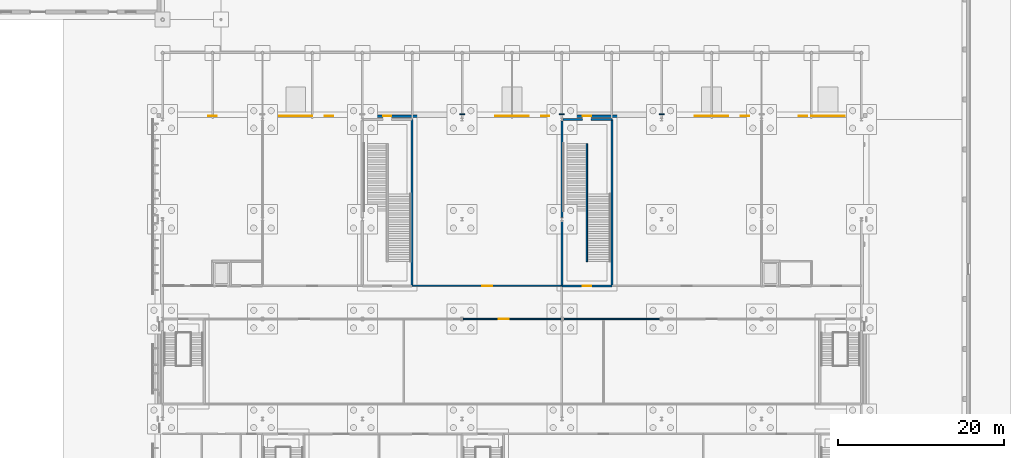
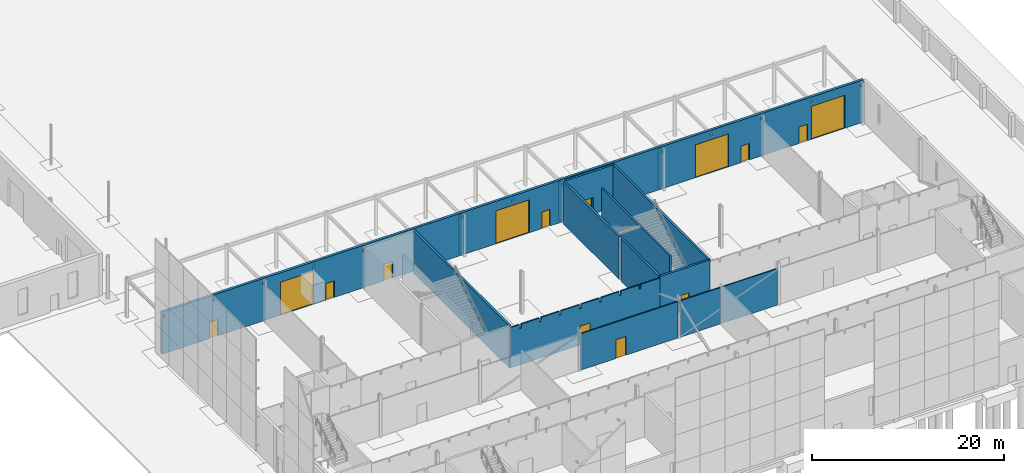
# One storey, part 67 of 132: 15 walls, 14 doors, 30 openings.
"""IFC4 building model written with IfcOpenShell, lengths in metres."""

from ifc_helpers import new_model, si_unit, direction, frame, frame_2d, origin, place, context, subcontext, project, spatial, polyline, rectangle, outline, extrude, material, layer, layer_set, type_object, element, fill, save


model = new_model("IFC4")

# Units and contexts
model_context = context("Model", 3, precision=1e-05, world=origin(), true_north=direction((0.0, 1.0)))
body_context = subcontext(model_context, "Body", "Model", "MODEL_VIEW")
ifc_project = project(units=[si_unit("LENGTHUNIT", "METRE"), si_unit("AREAUNIT", "SQUARE_METRE"), si_unit("VOLUMEUNIT", "CUBIC_METRE"), si_unit("PLANEANGLEUNIT", "RADIAN"), si_unit("MASSUNIT", "GRAM", prefix="KILO")], contexts=[model_context])

# Site, building, storey
site_placement = place(None, origin())
site = spatial("IfcSite", under=ifc_project, at=site_placement, CompositionType="ELEMENT")
building_placement = place(site_placement, origin())
building = spatial("IfcBuilding", under=site, at=building_placement, Name="Ravi Spectrum Wholesale Market", CompositionType="ELEMENT")
storey_placement = place(building_placement, origin())
storey = spatial("IfcBuildingStorey", under=building, at=storey_placement, Name="L00", CompositionType="ELEMENT", Elevation=0.0)

# Wall, openings, doors
ifc_material_1 = material(Name="Brick-faced insulated panel", Category="masonry")
ifc_layer_1 = layer(ifc_material_1, 0.300048828125)
ifc_layer_set_1 = layer_set([ifc_layer_1], Name="Brick-faced insulated panel")
wall_type_1 = type_object("IfcWallType", Name="Brick faced insulated panel 300", PredefinedType="SOLIDWALL", material=ifc_layer_set_1)
wall_1_placement = place(storey_placement, frame((282.25, 66.39990234375, 0.0), z_axis=(0.0, 0.0, 1.0), x_axis=(-1.0, 0.0, 0.0)))
wall_1 = element("IfcWall", 1, at=wall_1_placement, inside=storey, type_object=wall_type_1, Name="CS-WL-L00-046", PredefinedType="SOLIDWALL", context=body_context, shape_type="SweptSolid", body=[
    extrude(rectangle(XDim=84.5, YDim=0.300048828125, at=frame_2d((42.25, 0.0))), origin(), (0.0, 0.0, 1.0), 5.39990234375),
])
opening_1_placement = place(wall_1_placement, frame((2.25, 0.0, 0.0)))
opening_1 = element("IfcOpeningElement", 2, at=opening_1_placement, cuts=wall_1, Name="Opening D489", PredefinedType="OPENING", context=body_context, shape_type="SweptSolid", body=[
    extrude(rectangle(XDim=4.0, YDim=4.199951171875, at=frame_2d((2.0, 2.10009765625))), frame((0.0, 0.159912109375, 0.0), z_axis=(0.0, -1.0, 0.0), x_axis=(1.0, 0.0, 0.0)), (0.0, 0.0, 1.0), 0.320068359375),
])
opening_2_placement = place(wall_1_placement, frame((7.75, 0.0, 0.0), z_axis=(0.0, 0.0, 1.0), x_axis=(-1.0, 0.0, 0.0)))
opening_2 = element("IfcOpeningElement", 3, at=opening_2_placement, cuts=wall_1, Name="Opening D490", PredefinedType="OPENING", context=body_context, shape_type="SweptSolid", body=[
    extrude(rectangle(XDim=1.0, YDim=2.10009765625, at=frame_2d((0.5, 1.050048828125))), frame((0.0, 0.159912109375, 0.0), z_axis=(0.0, -1.0, 0.0), x_axis=(1.0, 0.0, 0.0)), (0.0, 0.0, 1.0), 0.320068359375),
])
opening_3_placement = place(wall_1_placement, frame((14.75, 0.0, 0.0), z_axis=(0.0, 0.0, 1.0), x_axis=(-1.0, 0.0, 0.0)))
opening_3 = element("IfcOpeningElement", 4, at=opening_3_placement, cuts=wall_1, Name="Opening D488", PredefinedType="OPENING", context=body_context, shape_type="SweptSolid", body=[
    extrude(rectangle(XDim=1.0, YDim=2.10009765625, at=frame_2d((0.5, 1.050048828125))), frame((0.0, 0.159912109375, 0.0), z_axis=(0.0, -1.0, 0.0), x_axis=(1.0, 0.0, 0.0)), (0.0, 0.0, 1.0), 0.320068359375),
])
opening_4_placement = place(wall_1_placement, frame((16.25, 0.0, 0.0)))
opening_4 = element("IfcOpeningElement", 5, at=opening_4_placement, cuts=wall_1, Name="Opening D487", PredefinedType="OPENING", context=body_context, shape_type="SweptSolid", body=[
    extrude(rectangle(XDim=4.0, YDim=4.199951171875, at=frame_2d((2.0, 2.10009765625))), frame((0.0, 0.159912109375, 0.0), z_axis=(0.0, -1.0, 0.0), x_axis=(1.0, 0.0, 0.0)), (0.0, 0.0, 1.0), 0.320068359375),
])
opening_5_placement = place(wall_1_placement, frame((33.75, 0.0, 0.0), z_axis=(0.0, 0.0, 1.0), x_axis=(-1.0, 0.0, 0.0)))
opening_5 = element("IfcOpeningElement", 6, at=opening_5_placement, cuts=wall_1, Name="Opening D481", PredefinedType="OPENING", context=body_context, shape_type="SweptSolid", body=[
    extrude(rectangle(XDim=1.0, YDim=2.10009765625, at=frame_2d((0.5, 1.050048828125))), frame((0.0, 0.159912109375, 0.0), z_axis=(0.0, -1.0, 0.0), x_axis=(1.0, 0.0, 0.0)), (0.0, 0.0, 1.0), 0.320068359375),
])
opening_6_placement = place(wall_1_placement, frame((38.75, 0.0, 0.0), z_axis=(0.0, 0.0, 1.0), x_axis=(-1.0, 0.0, 0.0)))
opening_6 = element("IfcOpeningElement", 7, at=opening_6_placement, cuts=wall_1, Name="Opening D486", PredefinedType="OPENING", context=body_context, shape_type="SweptSolid", body=[
    extrude(rectangle(XDim=1.0, YDim=2.10009765625, at=frame_2d((0.5, 1.050048828125))), frame((0.0, 0.159912109375, 0.0), z_axis=(0.0, -1.0, 0.0), x_axis=(1.0, 0.0, 0.0)), (0.0, 0.0, 1.0), 0.320068359375),
])
opening_7_placement = place(wall_1_placement, frame((40.25, 0.0, 0.0)))
opening_7 = element("IfcOpeningElement", 8, at=opening_7_placement, cuts=wall_1, Name="Opening D485", PredefinedType="OPENING", context=body_context, shape_type="SweptSolid", body=[
    extrude(rectangle(XDim=4.0, YDim=4.199951171875, at=frame_2d((2.0, 2.10009765625))), frame((0.0, 0.159912109375, 0.0), z_axis=(0.0, -1.0, 0.0), x_axis=(1.0, 0.0, 0.0)), (0.0, 0.0, 1.0), 0.320068359375),
])
opening_8_placement = place(wall_1_placement, frame((57.75, 0.0, 0.0), z_axis=(0.0, 0.0, 1.0), x_axis=(-1.0, 0.0, 0.0)))
opening_8 = element("IfcOpeningElement", 9, at=opening_8_placement, cuts=wall_1, Name="Opening D480", PredefinedType="OPENING", context=body_context, shape_type="SweptSolid", body=[
    extrude(rectangle(XDim=1.0, YDim=2.10009765625, at=frame_2d((0.5, 1.050048828125))), frame((0.0, 0.159912109375, 0.0), z_axis=(0.0, -1.0, 0.0), x_axis=(1.0, 0.0, 0.0)), (0.0, 0.0, 1.0), 0.320068359375),
])
opening_9_placement = place(wall_1_placement, frame((64.75, 0.0, 0.0), z_axis=(0.0, 0.0, 1.0), x_axis=(-1.0, 0.0, 0.0)))
opening_9 = element("IfcOpeningElement", 10, at=opening_9_placement, cuts=wall_1, Name="Opening D484", PredefinedType="OPENING", context=body_context, shape_type="SweptSolid", body=[
    extrude(rectangle(XDim=1.0, YDim=2.10009765625, at=frame_2d((0.5, 1.050048828125))), frame((0.0, 0.159912109375, 0.0), z_axis=(0.0, -1.0, 0.0), x_axis=(1.0, 0.0, 0.0)), (0.0, 0.0, 1.0), 0.320068359375),
])
opening_10_placement = place(wall_1_placement, frame((66.25, 0.0, 0.0)))
opening_10 = element("IfcOpeningElement", 11, at=opening_10_placement, cuts=wall_1, Name="Opening D483", PredefinedType="OPENING", context=body_context, shape_type="SweptSolid", body=[
    extrude(rectangle(XDim=4.0, YDim=4.199951171875, at=frame_2d((2.0, 2.10009765625))), frame((0.0, 0.159912109375, 0.0), z_axis=(0.0, -1.0, 0.0), x_axis=(1.0, 0.0, 0.0)), (0.0, 0.0, 1.0), 0.320068359375),
])
opening_11_placement = place(wall_1_placement, frame((78.75, 0.0, 0.0), z_axis=(0.0, 0.0, 1.0), x_axis=(-1.0, 0.0, 0.0)))
opening_11 = element("IfcOpeningElement", 12, at=opening_11_placement, cuts=wall_1, Name="Opening D482", PredefinedType="OPENING", context=body_context, shape_type="SweptSolid", body=[
    extrude(rectangle(XDim=1.0, YDim=2.10009765625, at=frame_2d((0.5, 1.050048828125))), frame((0.0, 0.159912109375, 0.0), z_axis=(0.0, -1.0, 0.0), x_axis=(1.0, 0.0, 0.0)), (0.0, 0.0, 1.0), 0.320068359375),
])
opening_12_placement = place(wall_1_placement, frame((84.155029296875, 0.0, 4.610107421875)))
element("IfcOpeningElement", 13, at=opening_12_placement, cuts=wall_1, Name="Opening CS-OP-L00-001", PredefinedType="OPENING", context=body_context, shape_type="SweptSolid", body=[
    extrude(rectangle(XDim=0.18994140625, YDim=0.3798828125, at=frame_2d((0.094970703125, 0.18994140625))), frame((0.0, 0.159912109375, 0.0), z_axis=(0.0, -1.0, 0.0), x_axis=(1.0, 0.0, 0.0)), (0.0, 0.0, 1.0), 0.320068359375),
])
opening_13_placement = place(wall_1_placement, frame((78.155029296875, 0.0, 4.610107421875)))
element("IfcOpeningElement", 14, at=opening_13_placement, cuts=wall_1, Name="Opening CS-OP-L00-002", PredefinedType="OPENING", context=body_context, shape_type="SweptSolid", body=[
    extrude(rectangle(XDim=0.18994140625, YDim=0.3798828125, at=frame_2d((0.094970703125, 0.18994140625))), frame((0.0, 0.159912109375, 0.0), z_axis=(0.0, -1.0, 0.0), x_axis=(1.0, 0.0, 0.0)), (0.0, 0.0, 1.0), 0.320068359375),
])
opening_14_placement = place(wall_1_placement, frame((72.155029296875, 0.0, 4.610107421875)))
element("IfcOpeningElement", 15, at=opening_14_placement, cuts=wall_1, Name="Opening CS-OP-L00-003", PredefinedType="OPENING", context=body_context, shape_type="SweptSolid", body=[
    extrude(rectangle(XDim=0.18994140625, YDim=0.3798828125, at=frame_2d((0.094970703125, 0.18994140625))), frame((0.0, 0.159912109375, 0.0), z_axis=(0.0, -1.0, 0.0), x_axis=(1.0, 0.0, 0.0)), (0.0, 0.0, 1.0), 0.320068359375),
])
opening_15_placement = place(wall_1_placement, frame((66.155029296875, 0.0, 4.610107421875)))
element("IfcOpeningElement", 16, at=opening_15_placement, cuts=wall_1, Name="Opening CS-OP-L00-004", PredefinedType="OPENING", context=body_context, shape_type="SweptSolid", body=[
    extrude(rectangle(XDim=0.18994140625, YDim=0.3798828125, at=frame_2d((0.094970703125, 0.18994140625))), frame((0.0, 0.159912109375, 0.0), z_axis=(0.0, -1.0, 0.0), x_axis=(1.0, 0.0, 0.0)), (0.0, 0.0, 1.0), 0.320068359375),
])
opening_16_placement = place(wall_1_placement, frame((60.155029296875, 0.0, 4.610107421875)))
element("IfcOpeningElement", 17, at=opening_16_placement, cuts=wall_1, Name="Opening CS-OP-L00-005", PredefinedType="OPENING", context=body_context, shape_type="SweptSolid", body=[
    extrude(rectangle(XDim=0.18994140625, YDim=0.3798828125, at=frame_2d((0.094970703125, 0.18994140625))), frame((0.0, 0.159912109375, 0.0), z_axis=(0.0, -1.0, 0.0), x_axis=(1.0, 0.0, 0.0)), (0.0, 0.0, 1.0), 0.320068359375),
])
opening_17_placement = place(wall_1_placement, frame((54.155029296875, 0.0, 4.610107421875)))
element("IfcOpeningElement", 18, at=opening_17_placement, cuts=wall_1, Name="Opening CS-OP-L00-006", PredefinedType="OPENING", context=body_context, shape_type="SweptSolid", body=[
    extrude(rectangle(XDim=0.18994140625, YDim=0.3798828125, at=frame_2d((0.094970703125, 0.18994140625))), frame((0.0, 0.159912109375, 0.0), z_axis=(0.0, -1.0, 0.0), x_axis=(1.0, 0.0, 0.0)), (0.0, 0.0, 1.0), 0.320068359375),
])
opening_18_placement = place(wall_1_placement, frame((48.155029296875, 0.0, 4.610107421875)))
element("IfcOpeningElement", 19, at=opening_18_placement, cuts=wall_1, Name="Opening CS-OP-L00-007", PredefinedType="OPENING", context=body_context, shape_type="SweptSolid", body=[
    extrude(rectangle(XDim=0.18994140625, YDim=0.3798828125, at=frame_2d((0.094970703125, 0.18994140625))), frame((0.0, 0.159912109375, 0.0), z_axis=(0.0, -1.0, 0.0), x_axis=(1.0, 0.0, 0.0)), (0.0, 0.0, 1.0), 0.320068359375),
])
opening_19_placement = place(wall_1_placement, frame((42.155029296875, 0.0, 4.610107421875)))
element("IfcOpeningElement", 20, at=opening_19_placement, cuts=wall_1, Name="Opening CS-OP-L00-008", PredefinedType="OPENING", context=body_context, shape_type="SweptSolid", body=[
    extrude(rectangle(XDim=0.18994140625, YDim=0.3798828125, at=frame_2d((0.094970703125, 0.18994140625))), frame((0.0, 0.159912109375, 0.0), z_axis=(0.0, -1.0, 0.0), x_axis=(1.0, 0.0, 0.0)), (0.0, 0.0, 1.0), 0.320068359375),
])
opening_20_placement = place(wall_1_placement, frame((36.155029296875, 0.0, 4.610107421875)))
element("IfcOpeningElement", 21, at=opening_20_placement, cuts=wall_1, Name="Opening CS-OP-L00-009", PredefinedType="OPENING", context=body_context, shape_type="SweptSolid", body=[
    extrude(rectangle(XDim=0.18994140625, YDim=0.3798828125, at=frame_2d((0.094970703125, 0.18994140625))), frame((0.0, 0.159912109375, 0.0), z_axis=(0.0, -1.0, 0.0), x_axis=(1.0, 0.0, 0.0)), (0.0, 0.0, 1.0), 0.320068359375),
])
opening_21_placement = place(wall_1_placement, frame((30.155029296875, 0.0, 4.610107421875)))
element("IfcOpeningElement", 22, at=opening_21_placement, cuts=wall_1, Name="Opening CS-OP-L00-010", PredefinedType="OPENING", context=body_context, shape_type="SweptSolid", body=[
    extrude(rectangle(XDim=0.18994140625, YDim=0.3798828125, at=frame_2d((0.094970703125, 0.18994140625))), frame((0.0, 0.159912109375, 0.0), z_axis=(0.0, -1.0, 0.0), x_axis=(1.0, 0.0, 0.0)), (0.0, 0.0, 1.0), 0.320068359375),
])
opening_22_placement = place(wall_1_placement, frame((24.155029296875, 0.0, 4.610107421875)))
element("IfcOpeningElement", 23, at=opening_22_placement, cuts=wall_1, Name="Opening CS-OP-L00-011", PredefinedType="OPENING", context=body_context, shape_type="SweptSolid", body=[
    extrude(rectangle(XDim=0.18994140625, YDim=0.3798828125, at=frame_2d((0.094970703125, 0.18994140625))), frame((0.0, 0.159912109375, 0.0), z_axis=(0.0, -1.0, 0.0), x_axis=(1.0, 0.0, 0.0)), (0.0, 0.0, 1.0), 0.320068359375),
])
opening_23_placement = place(wall_1_placement, frame((18.155029296875, 0.0, 4.610107421875)))
element("IfcOpeningElement", 24, at=opening_23_placement, cuts=wall_1, Name="Opening CS-OP-L00-012", PredefinedType="OPENING", context=body_context, shape_type="SweptSolid", body=[
    extrude(rectangle(XDim=0.18994140625, YDim=0.3798828125, at=frame_2d((0.094970703125, 0.18994140625))), frame((0.0, 0.159912109375, 0.0), z_axis=(0.0, -1.0, 0.0), x_axis=(1.0, 0.0, 0.0)), (0.0, 0.0, 1.0), 0.320068359375),
])
opening_24_placement = place(wall_1_placement, frame((12.155029296875, 0.0, 4.610107421875)))
element("IfcOpeningElement", 25, at=opening_24_placement, cuts=wall_1, Name="Opening CS-OP-L00-013", PredefinedType="OPENING", context=body_context, shape_type="SweptSolid", body=[
    extrude(rectangle(XDim=0.18994140625, YDim=0.3798828125, at=frame_2d((0.094970703125, 0.18994140625))), frame((0.0, 0.159912109375, 0.0), z_axis=(0.0, -1.0, 0.0), x_axis=(1.0, 0.0, 0.0)), (0.0, 0.0, 1.0), 0.320068359375),
])
opening_25_placement = place(wall_1_placement, frame((6.155029296875, 0.0, 4.610107421875)))
element("IfcOpeningElement", 26, at=opening_25_placement, cuts=wall_1, Name="Opening CS-OP-L00-014", PredefinedType="OPENING", context=body_context, shape_type="SweptSolid", body=[
    extrude(rectangle(XDim=0.18994140625, YDim=0.3798828125, at=frame_2d((0.094970703125, 0.18994140625))), frame((0.0, 0.159912109375, 0.0), z_axis=(0.0, -1.0, 0.0), x_axis=(1.0, 0.0, 0.0)), (0.0, 0.0, 1.0), 0.320068359375),
])
opening_26_placement = place(wall_1_placement, frame((0.155029296875, 0.0, 4.610107421875)))
element("IfcOpeningElement", 27, at=opening_26_placement, cuts=wall_1, Name="Opening CS-OP-L00-015", PredefinedType="OPENING", context=body_context, shape_type="SweptSolid", body=[
    extrude(rectangle(XDim=0.18994140625, YDim=0.3798828125, at=frame_2d((0.094970703125, 0.18994140625))), frame((0.0, 0.159912109375, 0.0), z_axis=(0.0, -1.0, 0.0), x_axis=(1.0, 0.0, 0.0)), (0.0, 0.0, 1.0), 0.320068359375),
])
ifc_material_2 = material(Name="Steel roller shutter", Category="steel")
door_type_1 = type_object("IfcDoorType", Name="Dock roller shutter 4000 x 4200", OperationType="ROLLINGUP", PredefinedType="DOOR", material=ifc_material_2)
door_1_placement = place(opening_1_placement, origin())
door_1 = element("IfcDoor", 28, at=door_1_placement, inside=storey, type_object=door_type_1, Name="Door D489", OperationType="ROLLINGUP", OverallHeight=4.199951171875, OverallWidth=4.0, PredefinedType="DOOR", context=body_context, shape_type="SweptSolid", body=[
    extrude(rectangle(XDim=4.0, YDim=4.199951171875, at=frame_2d((2.0, 2.10009765625))), frame((0.0, 0.02490234375, 0.0), z_axis=(0.0, -1.0, 0.0), x_axis=(1.0, 0.0, 0.0)), (0.0, 0.0, 1.0), 0.050048828125),
])
fill(opening_1, door_1)
door_2_placement = place(opening_4_placement, origin())
door_2 = element("IfcDoor", 29, at=door_2_placement, inside=storey, type_object=door_type_1, Name="Door D487", OperationType="ROLLINGUP", OverallHeight=4.199951171875, OverallWidth=4.0, PredefinedType="DOOR", context=body_context, shape_type="SweptSolid", body=[
    extrude(rectangle(XDim=4.0, YDim=4.199951171875, at=frame_2d((2.0, 2.10009765625))), frame((0.0, 0.02490234375, 0.0), z_axis=(0.0, -1.0, 0.0), x_axis=(1.0, 0.0, 0.0)), (0.0, 0.0, 1.0), 0.050048828125),
])
fill(opening_4, door_2)
door_3_placement = place(opening_7_placement, origin())
door_3 = element("IfcDoor", 30, at=door_3_placement, inside=storey, type_object=door_type_1, Name="Door D485", OperationType="ROLLINGUP", OverallHeight=4.199951171875, OverallWidth=4.0, PredefinedType="DOOR", context=body_context, shape_type="SweptSolid", body=[
    extrude(rectangle(XDim=4.0, YDim=4.199951171875, at=frame_2d((2.0, 2.10009765625))), frame((0.0, 0.02490234375, 0.0), z_axis=(0.0, -1.0, 0.0), x_axis=(1.0, 0.0, 0.0)), (0.0, 0.0, 1.0), 0.050048828125),
])
fill(opening_7, door_3)
door_4_placement = place(opening_10_placement, origin())
door_4 = element("IfcDoor", 31, at=door_4_placement, inside=storey, type_object=door_type_1, Name="Door D483", OperationType="ROLLINGUP", OverallHeight=4.199951171875, OverallWidth=4.0, PredefinedType="DOOR", context=body_context, shape_type="SweptSolid", body=[
    extrude(rectangle(XDim=4.0, YDim=4.199951171875, at=frame_2d((2.0, 2.10009765625))), frame((0.0, 0.02490234375, 0.0), z_axis=(0.0, -1.0, 0.0), x_axis=(1.0, 0.0, 0.0)), (0.0, 0.0, 1.0), 0.050048828125),
])
fill(opening_10, door_4)
ifc_material_3 = material(Name="Steel door", Category="steel")
door_type_2 = type_object("IfcDoorType", Name="Pedestrian exit door 1000 x 2100", OperationType="SINGLE_SWING_LEFT", PredefinedType="DOOR", material=ifc_material_3)
door_5_placement = place(opening_2_placement, origin())
door_5 = element("IfcDoor", 32, at=door_5_placement, inside=storey, type_object=door_type_2, Name="Door D490", OperationType="SINGLE_SWING_LEFT", OverallHeight=2.10009765625, OverallWidth=1.0, PredefinedType="DOOR", context=body_context, shape_type="SweptSolid", body=[
    extrude(rectangle(XDim=1.0, YDim=2.10009765625, at=frame_2d((0.5, 1.050048828125))), frame((0.0, 0.02490234375, 0.0), z_axis=(0.0, -1.0, 0.0), x_axis=(1.0, 0.0, 0.0)), (0.0, 0.0, 1.0), 0.050048828125),
])
fill(opening_2, door_5)
door_6_placement = place(opening_3_placement, origin())
door_6 = element("IfcDoor", 33, at=door_6_placement, inside=storey, type_object=door_type_2, Name="Door D488", OperationType="SINGLE_SWING_RIGHT", OverallHeight=2.10009765625, OverallWidth=1.0, PredefinedType="DOOR", context=body_context, shape_type="SweptSolid", body=[
    extrude(rectangle(XDim=1.0, YDim=2.10009765625, at=frame_2d((0.5, 1.050048828125))), frame((0.0, 0.02490234375, 0.0), z_axis=(0.0, -1.0, 0.0), x_axis=(1.0, 0.0, 0.0)), (0.0, 0.0, 1.0), 0.050048828125),
])
fill(opening_3, door_6)
door_7_placement = place(opening_5_placement, origin())
door_7 = element("IfcDoor", 34, at=door_7_placement, inside=storey, type_object=door_type_2, Name="Door D481", OperationType="SINGLE_SWING_LEFT", OverallHeight=2.10009765625, OverallWidth=1.0, PredefinedType="DOOR", context=body_context, shape_type="SweptSolid", body=[
    extrude(rectangle(XDim=1.0, YDim=2.10009765625, at=frame_2d((0.5, 1.050048828125))), frame((0.0, 0.02490234375, 0.0), z_axis=(0.0, -1.0, 0.0), x_axis=(1.0, 0.0, 0.0)), (0.0, 0.0, 1.0), 0.050048828125),
])
fill(opening_5, door_7)
door_8_placement = place(opening_6_placement, origin())
door_8 = element("IfcDoor", 35, at=door_8_placement, inside=storey, type_object=door_type_2, Name="Door D486", OperationType="SINGLE_SWING_RIGHT", OverallHeight=2.10009765625, OverallWidth=1.0, PredefinedType="DOOR", context=body_context, shape_type="SweptSolid", body=[
    extrude(rectangle(XDim=1.0, YDim=2.10009765625, at=frame_2d((0.5, 1.050048828125))), frame((0.0, 0.02490234375, 0.0), z_axis=(0.0, -1.0, 0.0), x_axis=(1.0, 0.0, 0.0)), (0.0, 0.0, 1.0), 0.050048828125),
])
fill(opening_6, door_8)
door_9_placement = place(opening_8_placement, origin())
door_9 = element("IfcDoor", 36, at=door_9_placement, inside=storey, type_object=door_type_2, Name="Door D480", OperationType="SINGLE_SWING_LEFT", OverallHeight=2.10009765625, OverallWidth=1.0, PredefinedType="DOOR", context=body_context, shape_type="SweptSolid", body=[
    extrude(rectangle(XDim=1.0, YDim=2.10009765625, at=frame_2d((0.5, 1.050048828125))), frame((0.0, 0.02490234375, 0.0), z_axis=(0.0, -1.0, 0.0), x_axis=(1.0, 0.0, 0.0)), (0.0, 0.0, 1.0), 0.050048828125),
])
fill(opening_8, door_9)
door_10_placement = place(opening_9_placement, origin())
door_10 = element("IfcDoor", 37, at=door_10_placement, inside=storey, type_object=door_type_2, Name="Door D484", OperationType="SINGLE_SWING_RIGHT", OverallHeight=2.10009765625, OverallWidth=1.0, PredefinedType="DOOR", context=body_context, shape_type="SweptSolid", body=[
    extrude(rectangle(XDim=1.0, YDim=2.10009765625, at=frame_2d((0.5, 1.050048828125))), frame((0.0, 0.02490234375, 0.0), z_axis=(0.0, -1.0, 0.0), x_axis=(1.0, 0.0, 0.0)), (0.0, 0.0, 1.0), 0.050048828125),
])
fill(opening_9, door_10)
door_11_placement = place(opening_11_placement, origin())
door_11 = element("IfcDoor", 38, at=door_11_placement, inside=storey, type_object=door_type_2, Name="Door D482", OperationType="SINGLE_SWING_RIGHT", OverallHeight=2.10009765625, OverallWidth=1.0, PredefinedType="DOOR", context=body_context, shape_type="SweptSolid", body=[
    extrude(rectangle(XDim=1.0, YDim=2.10009765625, at=frame_2d((0.5, 1.050048828125))), frame((0.0, 0.02490234375, 0.0), z_axis=(0.0, -1.0, 0.0), x_axis=(1.0, 0.0, 0.0)), (0.0, 0.0, 1.0), 0.050048828125),
])
fill(opening_11, door_11)

# Walls
ifc_material_4 = material(Name="Facing brickwork", Category="masonry")
ifc_layer_2 = layer(ifc_material_4, 0.114990234375)
ifc_layer_set_2 = layer_set([ifc_layer_2], Name="Facing brickwork")
wall_type_2 = type_object("IfcWallType", Name="Brick pilaster 115", PredefinedType="SOLIDWALL", material=ifc_layer_set_2)
for number, where, z_axis, x_axis, name in (
    (39, (258.300048828125, 66.607421875, 0.0), (0.0, 0.0, 1.0), (-1.0, 0.0, 0.0), "CS-WL-L00-048"),
    (40, (246.300048828125, 66.607421875, 0.0), (0.0, 0.0, 1.0), (-1.0, 0.0, 0.0), "CS-WL-L00-049"),
    (41, (234.300048828125, 66.607421875, 0.0), (0.0, 0.0, 1.0), (-1.0, 0.0, 0.0), "CS-WL-L00-050"),
):
    element("IfcWall", number, at=place(storey_placement, frame(where, z_axis=z_axis, x_axis=x_axis)), inside=storey, type_object=wall_type_2, Name=name, PredefinedType="SOLIDWALL", context=body_context, shape_type="SweptSolid", body=[
        extrude(rectangle(XDim=0.60009765625, YDim=0.114990234375, at=frame_2d((0.300048828125, 0.0))), origin(), (0.0, 0.0, 1.0), 4.97998046875),
    ])

# Wall, opening, door
ifc_material_5 = material(Name="Insulated panel")
ifc_layer_3 = layer(ifc_material_5, 0.14990234375)
ifc_layer_set_3 = layer_set([ifc_layer_3], Name="Insulated panel")
wall_type_3 = type_object("IfcWallType", Name="Cold store panel 150", PredefinedType="PARTITIONING", material=ifc_layer_set_3)
wall_2_placement = place(storey_placement, frame((234.14990234375, 42.0, 0.0), z_axis=(0.0, 0.0, 1.0), x_axis=(1.0, 0.0, 0.0)))
wall_2 = element("IfcWall", 42, at=wall_2_placement, inside=storey, type_object=wall_type_3, Name="CS-WL-L00-079", PredefinedType="PARTITIONING", context=body_context, shape_type="SweptSolid", body=[
    extrude(rectangle(XDim=11.7001953125, YDim=0.14990234375, at=frame_2d((5.85009765625, 0.0))), origin(), (0.0, 0.0, 1.0), 4.6298828125),
])
opening_27_placement = place(wall_2_placement, frame((4.25, 0.0, 0.0)))
opening_27 = element("IfcOpeningElement", 43, at=opening_27_placement, cuts=wall_2, Name="Opening D467", PredefinedType="OPENING", context=body_context, shape_type="SweptSolid", body=[
    extrude(rectangle(XDim=1.199951171875, YDim=2.39990234375, at=frame_2d((0.60009765625, 1.199951171875))), frame((0.0, 0.0849609375, 0.0), z_axis=(0.0, -1.0, 0.0), x_axis=(1.0, 0.0, 0.0)), (0.0, 0.0, 1.0), 0.169921875),
])
ifc_material_6 = material(Name="Insulated panel door")
door_type_3 = type_object("IfcDoorType", Name="Cold store insulated door 1200 x 2400", OperationType="SINGLE_SWING_LEFT", PredefinedType="DOOR", material=ifc_material_6)
door_12_placement = place(opening_27_placement, origin())
door_12 = element("IfcDoor", 44, at=door_12_placement, inside=storey, type_object=door_type_3, Name="Door D467", OperationType="SINGLE_SWING_LEFT", OverallHeight=2.39990234375, OverallWidth=1.199951171875, PredefinedType="DOOR", context=body_context, shape_type="SweptSolid", body=[
    extrude(rectangle(XDim=1.199951171875, YDim=2.39990234375, at=frame_2d((0.60009765625, 1.199951171875))), frame((0.0, 0.02490234375, 0.0), z_axis=(0.0, -1.0, 0.0), x_axis=(1.0, 0.0, 0.0)), (0.0, 0.0, 1.0), 0.050048828125),
])
fill(opening_27, door_12)

# Walls
wall_3_placement = place(storey_placement, frame((246.14990234375, 42.0, 0.0), z_axis=(0.0, 0.0, 1.0), x_axis=(1.0, 0.0, 0.0)))
element("IfcWall", 45, at=wall_3_placement, inside=storey, type_object=wall_type_3, Name="CS-WL-L00-080", PredefinedType="PARTITIONING", context=body_context, shape_type="SweptSolid", body=[
    extrude(rectangle(XDim=4.85009765625, YDim=0.14990234375, at=frame_2d((2.425048828125, 0.0))), origin(), (0.0, 0.0, 1.0), 4.6298828125),
])
wall_4_placement = place(storey_placement, frame((251.0, 42.0, 0.0), z_axis=(0.0, 0.0, 1.0), x_axis=(1.0, 0.0, 0.0)))
element("IfcWall", 46, at=wall_4_placement, inside=storey, type_object=wall_type_3, Name="CS-WL-L00-081", PredefinedType="PARTITIONING", context=body_context, shape_type="SweptSolid", body=[
    extrude(rectangle(XDim=6.85009765625, YDim=0.14990234375, at=frame_2d((3.425048828125, 0.0))), origin(), (0.0, 0.0, 1.0), 4.6298828125),
])

# Wall, opening, door
wall_5_placement = place(storey_placement, frame((228.0, 46.0, 0.0), z_axis=(0.0, 0.0, 1.0), x_axis=(1.0, 0.0, 0.0)))
wall_5 = element("IfcWall", 47, at=wall_5_placement, inside=storey, type_object=wall_type_3, Name="CS-WL-L00-087", PredefinedType="PARTITIONING", context=body_context, shape_type="SweptSolid", body=[
    extrude(outline(polyline([(0.0, 0.0), (18.0, 0.0), (18.0, 5.14990234375), (15.705078125, 5.14990234375), (15.699951171875, 4.6298828125), (15.5, 4.6298828125), (15.4951171875, 5.14990234375), (13.304931640625, 5.14990234375), (13.300048828125, 4.6298828125), (13.10009765625, 4.6298828125), (13.094970703125, 5.14990234375), (10.905029296875, 5.14990234375), (10.89990234375, 4.6298828125), (10.699951171875, 4.6298828125), (10.695068359375, 5.14990234375), (8.5048828125, 5.14990234375), (8.5, 4.6298828125), (8.300048828125, 4.6298828125), (8.294921875, 5.14990234375), (6.10009765625, 5.14990234375), (6.094970703125, 4.679931640625), (5.905029296875, 4.679931640625), (5.89990234375, 5.14990234375), (3.705078125, 5.14990234375), (3.699951171875, 4.6298828125), (3.5, 4.6298828125), (3.4951171875, 5.14990234375), (1.304931640625, 5.14990234375), (1.300048828125, 4.6298828125), (1.10009765625, 4.6298828125), (1.094970703125, 5.14990234375), (0.0, 5.14990234375), (0.0, 0.0)])), frame((0.0, 0.074951171875, 0.0), z_axis=(0.0, -1.0, 0.0), x_axis=(1.0, 0.0, 0.0)), (0.0, 0.0, 1.0), 0.14990234375),
])
opening_28_placement = place(wall_5_placement, frame((8.39990234375, 0.0, 0.0)))
opening_28 = element("IfcOpeningElement", 48, at=opening_28_placement, cuts=wall_5, Name="Opening D471", PredefinedType="OPENING", context=body_context, shape_type="SweptSolid", body=[
    extrude(rectangle(XDim=1.199951171875, YDim=2.39990234375, at=frame_2d((0.60009765625, 1.199951171875))), frame((0.0, 0.0849609375, 0.0), z_axis=(0.0, -1.0, 0.0), x_axis=(1.0, 0.0, 0.0)), (0.0, 0.0, 1.0), 0.169921875),
])
door_13_placement = place(opening_28_placement, origin())
door_13 = element("IfcDoor", 49, at=door_13_placement, inside=storey, type_object=door_type_3, Name="Door D471", OperationType="SINGLE_SWING_LEFT", OverallHeight=2.39990234375, OverallWidth=1.199951171875, PredefinedType="DOOR", context=body_context, shape_type="SweptSolid", body=[
    extrude(rectangle(XDim=1.199951171875, YDim=2.39990234375, at=frame_2d((0.60009765625, 1.199951171875))), frame((0.0, 0.02490234375, 0.0), z_axis=(0.0, -1.0, 0.0), x_axis=(1.0, 0.0, 0.0)), (0.0, 0.0, 1.0), 0.050048828125),
])
fill(opening_28, door_13)

# Wall
ifc_material_7 = material(Name="Concrete C35/45", Category="concrete")
ifc_layer_4 = layer(ifc_material_7, 0.25)
ifc_layer_set_4 = layer_set([ifc_layer_4], Name="Concrete C35/45")
wall_type_4 = type_object("IfcWallType", Name="Concrete core wall 250", PredefinedType="SHEAR", material=ifc_layer_set_4)
wall_6_placement = place(storey_placement, frame((228.0, 46.0, 0.0), z_axis=(0.0, 0.0, 1.0), x_axis=(0.0, 1.0, 0.0)))
element("IfcWall", 50, at=wall_6_placement, inside=storey, type_object=wall_type_4, Name="Stair core wall Stair S-CS-3", PredefinedType="SHEAR", context=body_context, shape_type="SweptSolid", body=[
    extrude(rectangle(XDim=20.0, YDim=0.25, at=frame_2d((10.0, 0.0))), origin(), (0.0, 0.0, 1.0), 5.39990234375),
])

# Wall, opening, door
wall_7_placement = place(storey_placement, frame((246.0, 46.0, 0.0), z_axis=(0.0, 0.0, 1.0), x_axis=(1.0, 0.0, 0.0)))
wall_7 = element("IfcWall", 51, at=wall_7_placement, inside=storey, type_object=wall_type_4, Name="Stair core wall Stair S-CS-5", PredefinedType="SHEAR", context=body_context, shape_type="SweptSolid", body=[
    extrude(rectangle(XDim=6.0, YDim=0.25, at=frame_2d((3.0, 0.0))), origin(), (0.0, 0.0, 1.0), 5.39990234375),
])
opening_29_placement = place(wall_7_placement, frame((2.5, 0.0, 0.0)))
opening_29 = element("IfcOpeningElement", 52, at=opening_29_placement, cuts=wall_7, Name="Opening D453", PredefinedType="OPENING", context=body_context, shape_type="SweptSolid", body=[
    extrude(rectangle(XDim=1.0, YDim=2.10009765625, at=frame_2d((0.5, 1.050048828125))), frame((0.0, 0.135009765625, 0.0), z_axis=(0.0, -1.0, 0.0), x_axis=(1.0, 0.0, 0.0)), (0.0, 0.0, 1.0), 0.27001953125),
])
ifc_material_8 = material(Name="Steel door", Category="steel")
door_type_4 = type_object("IfcDoorType", Name="Stair door 1000 x 2100", OperationType="SINGLE_SWING_LEFT", PredefinedType="DOOR", material=ifc_material_8)
door_14_placement = place(opening_29_placement, origin())
door_14 = element("IfcDoor", 53, at=door_14_placement, inside=storey, type_object=door_type_4, Name="Door D453", OperationType="SINGLE_SWING_RIGHT", OverallHeight=2.10009765625, OverallWidth=1.0, PredefinedType="DOOR", context=body_context, shape_type="SweptSolid", body=[
    extrude(rectangle(XDim=1.0, YDim=2.10009765625, at=frame_2d((0.5, 1.050048828125))), frame((0.0, 0.02490234375, 0.0), z_axis=(0.0, -1.0, 0.0), x_axis=(1.0, 0.0, 0.0)), (0.0, 0.0, 1.0), 0.050048828125),
])
fill(opening_29, door_14)

# Wall
wall_8_placement = place(storey_placement, frame((252.0, 46.0, 0.0), z_axis=(0.0, 0.0, 1.0), x_axis=(0.0, 1.0, 0.0)))
element("IfcWall", 54, at=wall_8_placement, inside=storey, type_object=wall_type_4, Name="Stair core wall Stair S-CS-5", PredefinedType="SHEAR", context=body_context, shape_type="SweptSolid", body=[
    extrude(rectangle(XDim=20.0, YDim=0.25, at=frame_2d((10.0, 0.0))), origin(), (0.0, 0.0, 1.0), 5.39990234375),
])

# Wall, opening
wall_9_placement = place(storey_placement, frame((246.14990234375, 66.0, 0.0), z_axis=(0.0, 0.0, 1.0), x_axis=(1.0, 0.0, 0.0)))
wall_9 = element("IfcWall", 55, at=wall_9_placement, inside=storey, type_object=wall_type_4, Name="Stair core wall Stair S-CS-5", PredefinedType="SHEAR", context=body_context, shape_type="SweptSolid", body=[
    extrude(rectangle(XDim=5.85009765625, YDim=0.25, at=frame_2d((2.925048828125, 0.0))), origin(), (0.0, 0.0, 1.0), 5.39990234375),
])
opening_30_placement = place(wall_9_placement, frame((2.35009765625, 0.0, 0.0)))
element("IfcOpeningElement", 56, at=opening_30_placement, cuts=wall_9, Name="Opening CS-OP-L00-019", PredefinedType="OPENING", context=body_context, shape_type="SweptSolid", body=[
    extrude(rectangle(XDim=1.0, YDim=2.10009765625, at=frame_2d((0.5, 1.050048828125))), frame((0.0, 0.135009765625, 0.0), z_axis=(0.0, -1.0, 0.0), x_axis=(1.0, 0.0, 0.0)), (0.0, 0.0, 1.0), 0.27001953125),
])

# Walls
wall_10_placement = place(storey_placement, frame((246.0, 46.0, 0.0), z_axis=(0.0, 0.0, 1.0), x_axis=(0.0, 1.0, 0.0)))
element("IfcWall", 57, at=wall_10_placement, inside=storey, type_object=wall_type_4, Name="Stair core wall Stair S-CS-5", PredefinedType="SHEAR", context=body_context, shape_type="SweptSolid", body=[
    extrude(rectangle(XDim=7.800048828125, YDim=0.25, at=frame_2d((3.89990234375, 0.0))), origin(), (0.0, 0.0, 1.0), 5.39990234375),
])
wall_11_placement = place(storey_placement, frame((246.0, 54.199951171875, 0.0), z_axis=(0.0, 0.0, 1.0), x_axis=(0.0, 1.0, 0.0)))
element("IfcWall", 58, at=wall_11_placement, inside=storey, type_object=wall_type_4, Name="Stair core wall Stair S-CS-5", PredefinedType="SHEAR", context=body_context, shape_type="SweptSolid", body=[
    extrude(rectangle(XDim=11.630126953125, YDim=0.25, at=frame_2d((5.81494140625, 0.0))), origin(), (0.0, 0.0, 1.0), 5.39990234375),
])
ifc_material_9 = material(Name="Concrete C35/45", Category="concrete")
ifc_layer_5 = layer(ifc_material_9, 0.199951171875)
ifc_layer_set_5 = layer_set([ifc_layer_5], Name="Concrete C35/45")
wall_type_5 = type_object("IfcWallType", Name="Concrete stair divider 200", PredefinedType="SHEAR", material=ifc_layer_set_5)
wall_12_placement = place(storey_placement, frame((249.0, 48.89990234375, 0.0), z_axis=(0.0, 0.0, 1.0), x_axis=(0.0, 1.0, 0.0)))
element("IfcWall", 59, at=wall_12_placement, inside=storey, type_object=wall_type_5, Name="Stair divider wall S-CS-5", PredefinedType="SHEAR", context=body_context, shape_type="SweptSolid", body=[
    extrude(rectangle(XDim=14.2001953125, YDim=0.199951171875, at=frame_2d((7.10009765625, 0.0))), origin(), (0.0, 0.0, 1.0), 5.14990234375),
])

save(model, "model.ifc")
